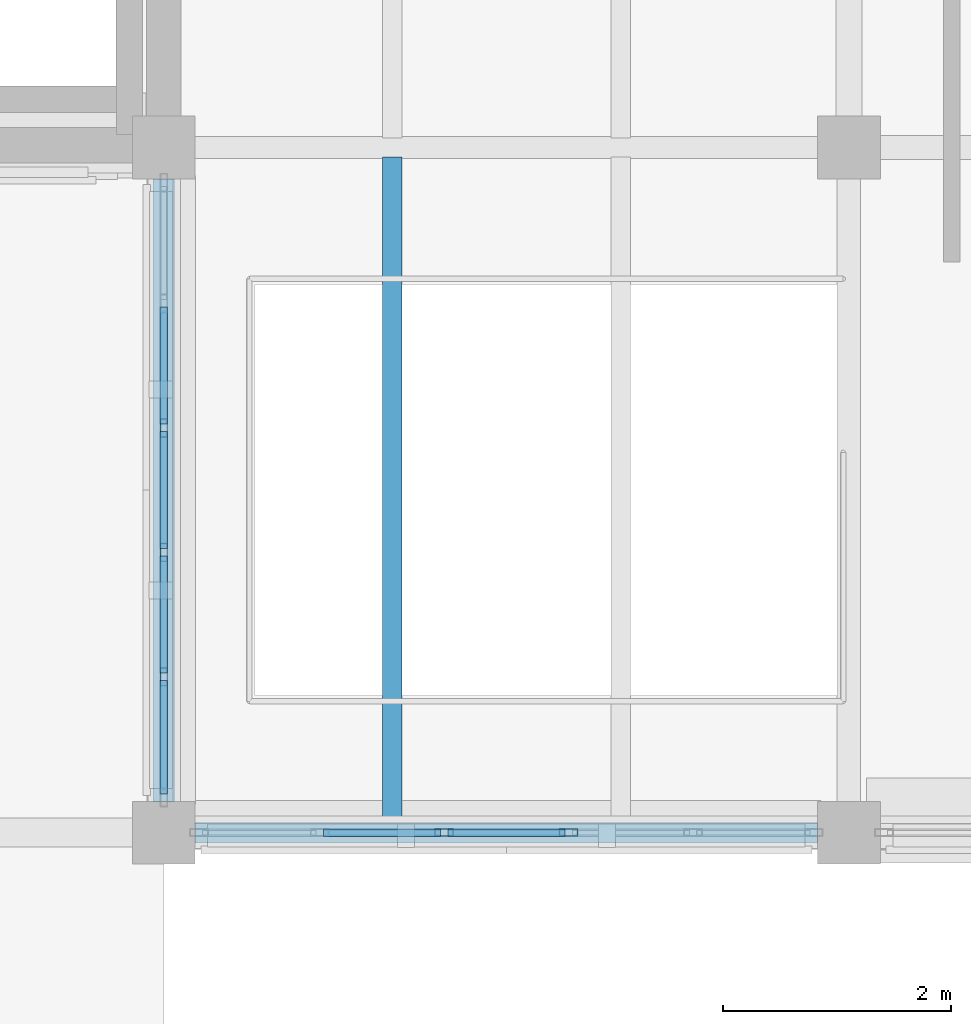
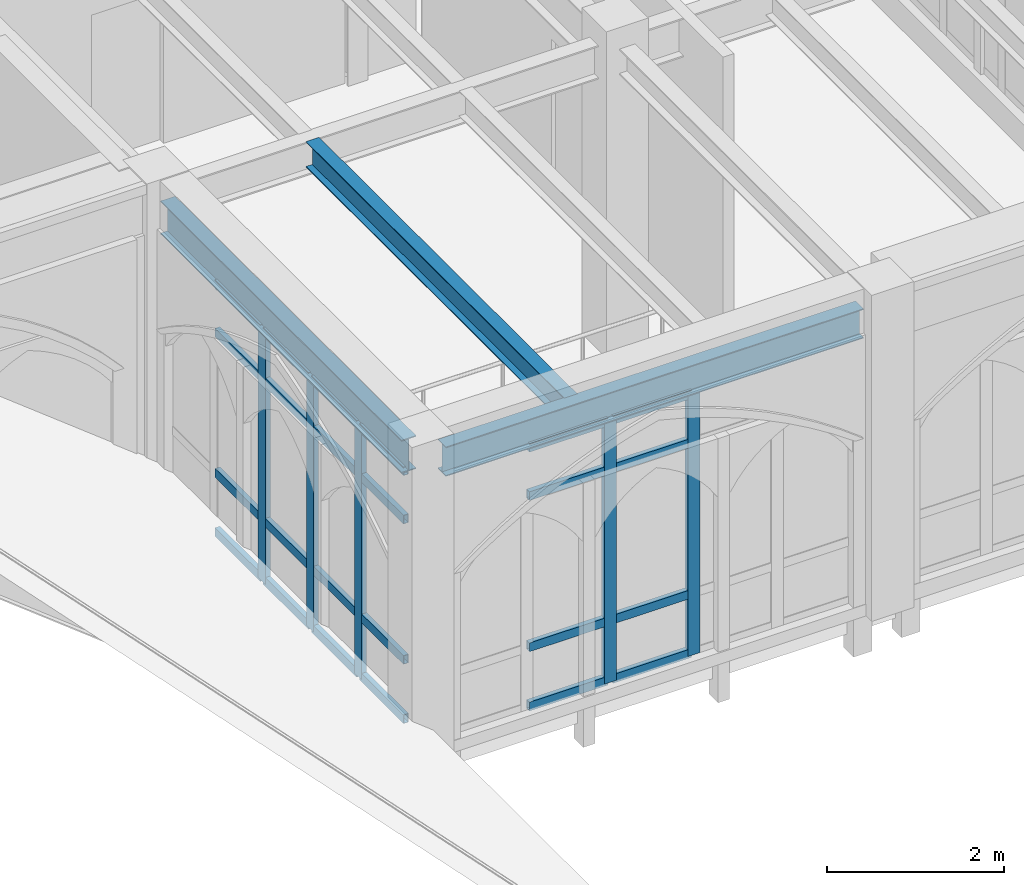
# One storey, part 12 of 108: 29 members, 3 beams, 2 elements without a shape of their own.
"""IFC4 building model written with IfcOpenShell, lengths in metres."""

from ifc_helpers import new_model, si_unit, direction, frame, origin, origin_2d, place, context, subcontext, project, spatial, hollow_rectangle, i_section, extrude, material, layer, layer_set, material_profile, profile_set, type_object, element, aggregate, save


model = new_model("IFC4")

# Units and contexts
model_context = context("Model", 3, precision=1e-05, world=origin(), true_north=direction((0.0, 1.0)))
body_context = subcontext(model_context, "Body", "Model", "MODEL_VIEW")
ifc_project = project(units=[si_unit("LENGTHUNIT", "METRE"), si_unit("AREAUNIT", "SQUARE_METRE"), si_unit("VOLUMEUNIT", "CUBIC_METRE"), si_unit("PLANEANGLEUNIT", "RADIAN"), si_unit("MASSUNIT", "GRAM", prefix="KILO")], contexts=[model_context])

# Site, building, storey
site_placement = place(None, origin())
site = spatial("IfcSite", under=ifc_project, at=site_placement, CompositionType="ELEMENT")
building_placement = place(site_placement, origin())
building = spatial("IfcBuilding", under=site, at=building_placement, Name="Cumevento Cable Car Station", CompositionType="ELEMENT")
storey_placement = place(building_placement, frame((0.0, 0.0, 13.5)))
storey = spatial("IfcBuildingStorey", under=building, at=storey_placement, Name="L04", CompositionType="ELEMENT", Elevation=13.5)

# Curtain wall, members
ifc_material_1 = material(Name="Anodised Bronze Aluminium AW-6063-T6", Category="aluminium")
ifc_layer_1 = layer(ifc_material_1, 0.159912109375)
ifc_layer_set_1 = layer_set([ifc_layer_1], Name="Anodised Bronze Aluminium AW-6063-T6")
curtain_wall_type_1 = type_object("IfcCurtainWallType", Name="Lancet Curtain Wall CW-01 1050", PredefinedType="NOTDEFINED", material=ifc_layer_set_1)
curtain_wall_1_placement = place(storey_placement, origin())
curtain_wall_1 = element("IfcCurtainWall", 1, at=curtain_wall_1_placement, inside=storey, type_object=curtain_wall_type_1, Name="Lancet Curtain Wall CW-01 L04 #144", PredefinedType="NOTDEFINED")
ifc_material_2 = material(Name="Anodised Bronze Aluminium AW-6063-T6", Category="aluminium")
ifc_material_profile_1 = material_profile(ifc_material_2, hollow_rectangle(XDim=0.06494140625, YDim=0.159912109375, WallThickness=0.00390625, at=origin_2d()), Name="ALUM65x160x4")
ifc_profile_set_1 = profile_set([ifc_material_profile_1], Name="Anodised Bronze Aluminium AW-6063-T6")
member_type_1 = type_object("IfcMemberType", Name="Curtain Mullion CWM-01 ALUM65x160x4", PredefinedType="MULLION", material=ifc_profile_set_1)
member_1_placement = place(storey_placement, frame((73.544921875, 33.0, 0.159912109375), z_axis=(0.0, 0.0, 1.0), x_axis=(0.0, -1.0, 0.0)))
member_1 = element("IfcMember", 2, at=member_1_placement, type_object=member_type_1, Name="CW-01 mullion 3", PredefinedType="MULLION", context=body_context, shape_type="SweptSolid", body=[
    extrude(hollow_rectangle(XDim=0.06494140625, YDim=0.159912109375, WallThickness=0.00390625, at=origin_2d()), origin(), (0.0, 0.0, 1.0), 3.63720703125),
])
member_2_placement = place(storey_placement, frame((72.455078125, 33.0, 0.159912109375), z_axis=(0.0, 0.0, 1.0), x_axis=(0.0, -1.0, 0.0)))
member_2 = element("IfcMember", 3, at=member_2_placement, type_object=member_type_1, Name="CW-01 mullion 4", PredefinedType="MULLION", context=body_context, shape_type="SweptSolid", body=[
    extrude(hollow_rectangle(XDim=0.06494140625, YDim=0.159912109375, WallThickness=0.00390625, at=origin_2d()), origin(), (0.0, 0.0, 1.0), 3.63720703125),
])

ifc_material_3 = material(Name="Anodised Bronze Aluminium AW-6063-T6", Category="aluminium")
ifc_layer_2 = layer(ifc_material_3, 0.172119140625)
ifc_layer_set_2 = layer_set([ifc_layer_2], Name="Anodised Bronze Aluminium AW-6063-T6")
curtain_wall_type_2 = type_object("IfcCurtainWallType", Name="Lancet Curtain Wall CW-03 1130", PredefinedType="NOTDEFINED", material=ifc_layer_set_2)
curtain_wall_2_placement = place(storey_placement, origin())
curtain_wall_2 = element("IfcCurtainWall", 4, at=curtain_wall_2_placement, inside=storey, type_object=curtain_wall_type_2, Name="Lancet Curtain Wall CW-03 L04 #146", PredefinedType="NOTDEFINED")
member_3_placement = place(storey_placement, frame((70.0, 34.364990234375, 0.260009765625), z_axis=(0.0, 0.0, 1.0), x_axis=(-1.0, 0.0, 0.0)))
member_3 = element("IfcMember", 5, at=member_3_placement, type_object=member_type_1, Name="CW-03 mullion 2", PredefinedType="MULLION", context=body_context, shape_type="SweptSolid", body=[
    extrude(hollow_rectangle(XDim=0.06494140625, YDim=0.159912109375, WallThickness=0.00390625, at=origin_2d()), origin(), (0.0, 0.0, 1.0), 3.487060546875),
])
member_4_placement = place(storey_placement, frame((70.0, 35.455078125, 0.260009765625), z_axis=(0.0, 0.0, 1.0), x_axis=(-1.0, 0.0, 0.0)))
member_4 = element("IfcMember", 6, at=member_4_placement, type_object=member_type_1, Name="CW-03 mullion 3", PredefinedType="MULLION", context=body_context, shape_type="SweptSolid", body=[
    extrude(hollow_rectangle(XDim=0.06494140625, YDim=0.159912109375, WallThickness=0.00390625, at=origin_2d()), origin(), (0.0, 0.0, 1.0), 3.487060546875),
])
member_5_placement = place(storey_placement, frame((70.0, 36.544921875, 0.260009765625), z_axis=(0.0, 0.0, 1.0), x_axis=(-1.0, 0.0, 0.0)))
member_5 = element("IfcMember", 7, at=member_5_placement, type_object=member_type_1, Name="CW-03 mullion 4", PredefinedType="MULLION", context=body_context, shape_type="SweptSolid", body=[
    extrude(hollow_rectangle(XDim=0.06494140625, YDim=0.159912109375, WallThickness=0.00390625, at=origin_2d()), origin(), (0.0, 0.0, 1.0), 3.487060546875),
])

# Member
ifc_material_4 = material(Name="Anodised Bronze Aluminium AW-6063-T6", Category="aluminium")
ifc_material_profile_2 = material_profile(ifc_material_4, hollow_rectangle(XDim=0.06494140625, YDim=0.1201171875, WallThickness=0.00390625, at=origin_2d()), Name="ALUT65x120x4")
ifc_profile_set_2 = profile_set([ifc_material_profile_2], Name="Anodised Bronze Aluminium AW-6063-T6")
member_type_2 = type_object("IfcMemberType", Name="Curtain Transom CWT-01 ALUT65x120x4", PredefinedType="USERDEFINED", material=ifc_profile_set_2)
member_6_placement = place(storey_placement, frame((73.512451171875, 33.0, 0.1923828125), z_axis=(-1.0, 0.0, 0.0), x_axis=(0.0, -1.0, 0.0)))
member_6 = element("IfcMember", 8, at=member_6_placement, type_object=member_type_2, Name="CW-01 transom 3.1", ObjectType="TRANSOM", PredefinedType="USERDEFINED", context=body_context, shape_type="SweptSolid", body=[
    extrude(hollow_rectangle(XDim=0.06494140625, YDim=0.1201171875, WallThickness=0.00390625, at=origin_2d()), origin(), (0.0, 0.0, 1.0), 1.02490234375),
])

member_7_placement = place(storey_placement, frame((73.512451171875, 33.0, 1.010009765625), z_axis=(-1.0, 0.0, 0.0), x_axis=(0.0, -1.0, 0.0)))
member_7 = element("IfcMember", 9, at=member_7_placement, type_object=member_type_2, Name="CW-01 transom 3.2", ObjectType="TRANSOM", PredefinedType="USERDEFINED", context=body_context, shape_type="SweptSolid", body=[
    extrude(hollow_rectangle(XDim=0.06494140625, YDim=0.1201171875, WallThickness=0.00390625, at=origin_2d()), origin(), (0.0, 0.0, 1.0), 1.02490234375),
])

member_8_placement = place(storey_placement, frame((73.512451171875, 33.0, 3.096923828125), z_axis=(-1.0, 0.0, 0.0), x_axis=(0.0, -1.0, 0.0)))
member_8 = element("IfcMember", 10, at=member_8_placement, type_object=member_type_2, Name="CW-01 transom 3.3", ObjectType="TRANSOM", PredefinedType="USERDEFINED", context=body_context, shape_type="SweptSolid", body=[
    extrude(hollow_rectangle(XDim=0.06494140625, YDim=0.1201171875, WallThickness=0.00390625, at=origin_2d()), origin(), (0.0, 0.0, 1.0), 1.02490234375),
])

member_9_placement = place(storey_placement, frame((73.512451171875, 33.0, 3.764404296875), z_axis=(-1.0, 0.0, 0.0), x_axis=(0.0, -1.0, 0.0)))
member_9 = element("IfcMember", 11, at=member_9_placement, type_object=member_type_2, Name="CW-01 transom 3.4", ObjectType="TRANSOM", PredefinedType="USERDEFINED", context=body_context, shape_type="SweptSolid", body=[
    extrude(hollow_rectangle(XDim=0.06494140625, YDim=0.1201171875, WallThickness=0.00390625, at=origin_2d()), origin(), (0.0, 0.0, 1.0), 1.02490234375),
])

member_10_placement = place(storey_placement, frame((72.422607421875, 33.0, 0.1923828125), z_axis=(-1.0, 0.0, 0.0), x_axis=(0.0, -1.0, 0.0)))
member_10 = element("IfcMember", 12, at=member_10_placement, type_object=member_type_2, Name="CW-01 transom 4.1", ObjectType="TRANSOM", PredefinedType="USERDEFINED", context=body_context, shape_type="SweptSolid", body=[
    extrude(hollow_rectangle(XDim=0.06494140625, YDim=0.1201171875, WallThickness=0.00390625, at=origin_2d()), origin(), (0.0, 0.0, 1.0), 1.025146484375),
])

member_11_placement = place(storey_placement, frame((72.422607421875, 33.0, 1.010009765625), z_axis=(-1.0, 0.0, 0.0), x_axis=(0.0, -1.0, 0.0)))
member_11 = element("IfcMember", 13, at=member_11_placement, type_object=member_type_2, Name="CW-01 transom 4.2", ObjectType="TRANSOM", PredefinedType="USERDEFINED", context=body_context, shape_type="SweptSolid", body=[
    extrude(hollow_rectangle(XDim=0.06494140625, YDim=0.1201171875, WallThickness=0.00390625, at=origin_2d()), origin(), (0.0, 0.0, 1.0), 1.025146484375),
])

member_12_placement = place(storey_placement, frame((72.422607421875, 33.0, 3.096923828125), z_axis=(-1.0, 0.0, 0.0), x_axis=(0.0, -1.0, 0.0)))
member_12 = element("IfcMember", 14, at=member_12_placement, type_object=member_type_2, Name="CW-01 transom 4.3", ObjectType="TRANSOM", PredefinedType="USERDEFINED", context=body_context, shape_type="SweptSolid", body=[
    extrude(hollow_rectangle(XDim=0.06494140625, YDim=0.1201171875, WallThickness=0.00390625, at=origin_2d()), origin(), (0.0, 0.0, 1.0), 1.025146484375),
])

member_13_placement = place(storey_placement, frame((72.422607421875, 33.0, 3.764404296875), z_axis=(-1.0, 0.0, 0.0), x_axis=(0.0, -1.0, 0.0)))
member_13 = element("IfcMember", 15, at=member_13_placement, type_object=member_type_2, Name="CW-01 transom 4.4", ObjectType="TRANSOM", PredefinedType="USERDEFINED", context=body_context, shape_type="SweptSolid", body=[
    extrude(hollow_rectangle(XDim=0.06494140625, YDim=0.1201171875, WallThickness=0.00390625, at=origin_2d()), origin(), (0.0, 0.0, 1.0), 1.025146484375),
])

aggregate(curtain_wall_1, [member_1, member_2, member_6, member_7, member_8, member_9, member_10, member_11, member_12, member_13])

member_14_placement = place(storey_placement, frame((70.0, 33.340087890625, 0.29248046875), z_axis=(0.0, 1.0, 0.0), x_axis=(-1.0, 0.0, 0.0)))
member_14 = element("IfcMember", 16, at=member_14_placement, type_object=member_type_2, Name="CW-03 transom 1.1", ObjectType="TRANSOM", PredefinedType="USERDEFINED", context=body_context, shape_type="SweptSolid", body=[
    extrude(hollow_rectangle(XDim=0.06494140625, YDim=0.1201171875, WallThickness=0.00390625, at=origin_2d()), origin(), (0.0, 0.0, 1.0), 0.992431640625),
])

member_15_placement = place(storey_placement, frame((70.0, 33.340087890625, 1.110107421875), z_axis=(0.0, 1.0, 0.0), x_axis=(-1.0, 0.0, 0.0)))
member_15 = element("IfcMember", 17, at=member_15_placement, type_object=member_type_2, Name="CW-03 transom 1.2", ObjectType="TRANSOM", PredefinedType="USERDEFINED", context=body_context, shape_type="SweptSolid", body=[
    extrude(hollow_rectangle(XDim=0.06494140625, YDim=0.1201171875, WallThickness=0.00390625, at=origin_2d()), origin(), (0.0, 0.0, 1.0), 0.992431640625),
])

member_16_placement = place(storey_placement, frame((70.0, 33.340087890625, 3.047119140625), z_axis=(0.0, 1.0, 0.0), x_axis=(-1.0, 0.0, 0.0)))
member_16 = element("IfcMember", 18, at=member_16_placement, type_object=member_type_2, Name="CW-03 transom 1.3", ObjectType="TRANSOM", PredefinedType="USERDEFINED", context=body_context, shape_type="SweptSolid", body=[
    extrude(hollow_rectangle(XDim=0.06494140625, YDim=0.1201171875, WallThickness=0.00390625, at=origin_2d()), origin(), (0.0, 0.0, 1.0), 0.992431640625),
])

member_17_placement = place(storey_placement, frame((70.0, 33.340087890625, 3.714599609375), z_axis=(0.0, 1.0, 0.0), x_axis=(-1.0, 0.0, 0.0)))
member_17 = element("IfcMember", 19, at=member_17_placement, type_object=member_type_2, Name="CW-03 transom 1.4", ObjectType="TRANSOM", PredefinedType="USERDEFINED", context=body_context, shape_type="SweptSolid", body=[
    extrude(hollow_rectangle(XDim=0.06494140625, YDim=0.1201171875, WallThickness=0.00390625, at=origin_2d()), origin(), (0.0, 0.0, 1.0), 0.992431640625),
])

member_18_placement = place(storey_placement, frame((70.0, 34.3974609375, 0.29248046875), z_axis=(0.0, 1.0, 0.0), x_axis=(-1.0, 0.0, 0.0)))
member_18 = element("IfcMember", 20, at=member_18_placement, type_object=member_type_2, Name="CW-03 transom 2.1", ObjectType="TRANSOM", PredefinedType="USERDEFINED", context=body_context, shape_type="SweptSolid", body=[
    extrude(hollow_rectangle(XDim=0.06494140625, YDim=0.1201171875, WallThickness=0.00390625, at=origin_2d()), origin(), (0.0, 0.0, 1.0), 1.025146484375),
])

member_19_placement = place(storey_placement, frame((70.0, 34.3974609375, 1.110107421875), z_axis=(0.0, 1.0, 0.0), x_axis=(-1.0, 0.0, 0.0)))
member_19 = element("IfcMember", 21, at=member_19_placement, type_object=member_type_2, Name="CW-03 transom 2.2", ObjectType="TRANSOM", PredefinedType="USERDEFINED", context=body_context, shape_type="SweptSolid", body=[
    extrude(hollow_rectangle(XDim=0.06494140625, YDim=0.1201171875, WallThickness=0.00390625, at=origin_2d()), origin(), (0.0, 0.0, 1.0), 1.025146484375),
])

member_20_placement = place(storey_placement, frame((70.0, 34.3974609375, 3.047119140625), z_axis=(0.0, 1.0, 0.0), x_axis=(-1.0, 0.0, 0.0)))
member_20 = element("IfcMember", 22, at=member_20_placement, type_object=member_type_2, Name="CW-03 transom 2.3", ObjectType="TRANSOM", PredefinedType="USERDEFINED", context=body_context, shape_type="SweptSolid", body=[
    extrude(hollow_rectangle(XDim=0.06494140625, YDim=0.1201171875, WallThickness=0.00390625, at=origin_2d()), origin(), (0.0, 0.0, 1.0), 1.025146484375),
])

member_21_placement = place(storey_placement, frame((70.0, 34.3974609375, 3.714599609375), z_axis=(0.0, 1.0, 0.0), x_axis=(-1.0, 0.0, 0.0)))
member_21 = element("IfcMember", 23, at=member_21_placement, type_object=member_type_2, Name="CW-03 transom 2.4", ObjectType="TRANSOM", PredefinedType="USERDEFINED", context=body_context, shape_type="SweptSolid", body=[
    extrude(hollow_rectangle(XDim=0.06494140625, YDim=0.1201171875, WallThickness=0.00390625, at=origin_2d()), origin(), (0.0, 0.0, 1.0), 1.025146484375),
])

member_22_placement = place(storey_placement, frame((70.0, 35.487548828125, 0.29248046875), z_axis=(0.0, 1.0, 0.0), x_axis=(-1.0, 0.0, 0.0)))
member_22 = element("IfcMember", 24, at=member_22_placement, type_object=member_type_2, Name="CW-03 transom 3.1", ObjectType="TRANSOM", PredefinedType="USERDEFINED", context=body_context, shape_type="SweptSolid", body=[
    extrude(hollow_rectangle(XDim=0.06494140625, YDim=0.1201171875, WallThickness=0.00390625, at=origin_2d()), origin(), (0.0, 0.0, 1.0), 1.02490234375),
])

member_23_placement = place(storey_placement, frame((70.0, 35.487548828125, 1.110107421875), z_axis=(0.0, 1.0, 0.0), x_axis=(-1.0, 0.0, 0.0)))
member_23 = element("IfcMember", 25, at=member_23_placement, type_object=member_type_2, Name="CW-03 transom 3.2", ObjectType="TRANSOM", PredefinedType="USERDEFINED", context=body_context, shape_type="SweptSolid", body=[
    extrude(hollow_rectangle(XDim=0.06494140625, YDim=0.1201171875, WallThickness=0.00390625, at=origin_2d()), origin(), (0.0, 0.0, 1.0), 1.02490234375),
])

member_24_placement = place(storey_placement, frame((70.0, 35.487548828125, 3.047119140625), z_axis=(0.0, 1.0, 0.0), x_axis=(-1.0, 0.0, 0.0)))
member_24 = element("IfcMember", 26, at=member_24_placement, type_object=member_type_2, Name="CW-03 transom 3.3", ObjectType="TRANSOM", PredefinedType="USERDEFINED", context=body_context, shape_type="SweptSolid", body=[
    extrude(hollow_rectangle(XDim=0.06494140625, YDim=0.1201171875, WallThickness=0.00390625, at=origin_2d()), origin(), (0.0, 0.0, 1.0), 1.02490234375),
])

member_25_placement = place(storey_placement, frame((70.0, 35.487548828125, 3.714599609375), z_axis=(0.0, 1.0, 0.0), x_axis=(-1.0, 0.0, 0.0)))
member_25 = element("IfcMember", 27, at=member_25_placement, type_object=member_type_2, Name="CW-03 transom 3.4", ObjectType="TRANSOM", PredefinedType="USERDEFINED", context=body_context, shape_type="SweptSolid", body=[
    extrude(hollow_rectangle(XDim=0.06494140625, YDim=0.1201171875, WallThickness=0.00390625, at=origin_2d()), origin(), (0.0, 0.0, 1.0), 1.02490234375),
])

member_26_placement = place(storey_placement, frame((70.0, 36.577392578125, 0.29248046875), z_axis=(0.0, 1.0, 0.0), x_axis=(-1.0, 0.0, 0.0)))
member_26 = element("IfcMember", 28, at=member_26_placement, type_object=member_type_2, Name="CW-03 transom 4.1", ObjectType="TRANSOM", PredefinedType="USERDEFINED", context=body_context, shape_type="SweptSolid", body=[
    extrude(hollow_rectangle(XDim=0.06494140625, YDim=0.1201171875, WallThickness=0.00390625, at=origin_2d()), origin(), (0.0, 0.0, 1.0), 1.025146484375),
])

member_27_placement = place(storey_placement, frame((70.0, 36.577392578125, 1.110107421875), z_axis=(0.0, 1.0, 0.0), x_axis=(-1.0, 0.0, 0.0)))
member_27 = element("IfcMember", 29, at=member_27_placement, type_object=member_type_2, Name="CW-03 transom 4.2", ObjectType="TRANSOM", PredefinedType="USERDEFINED", context=body_context, shape_type="SweptSolid", body=[
    extrude(hollow_rectangle(XDim=0.06494140625, YDim=0.1201171875, WallThickness=0.00390625, at=origin_2d()), origin(), (0.0, 0.0, 1.0), 1.025146484375),
])

member_28_placement = place(storey_placement, frame((70.0, 36.577392578125, 3.047119140625), z_axis=(0.0, 1.0, 0.0), x_axis=(-1.0, 0.0, 0.0)))
member_28 = element("IfcMember", 30, at=member_28_placement, type_object=member_type_2, Name="CW-03 transom 4.3", ObjectType="TRANSOM", PredefinedType="USERDEFINED", context=body_context, shape_type="SweptSolid", body=[
    extrude(hollow_rectangle(XDim=0.06494140625, YDim=0.1201171875, WallThickness=0.00390625, at=origin_2d()), origin(), (0.0, 0.0, 1.0), 1.025146484375),
])

member_29_placement = place(storey_placement, frame((70.0, 36.577392578125, 3.714599609375), z_axis=(0.0, 1.0, 0.0), x_axis=(-1.0, 0.0, 0.0)))
member_29 = element("IfcMember", 31, at=member_29_placement, type_object=member_type_2, Name="CW-03 transom 4.4", ObjectType="TRANSOM", PredefinedType="USERDEFINED", context=body_context, shape_type="SweptSolid", body=[
    extrude(hollow_rectangle(XDim=0.06494140625, YDim=0.1201171875, WallThickness=0.00390625, at=origin_2d()), origin(), (0.0, 0.0, 1.0), 1.025146484375),
])

aggregate(curtain_wall_2, [member_3, member_4, member_5, member_14, member_15, member_16, member_17, member_18, member_19, member_20, member_21, member_22, member_23, member_24, member_25, member_26, member_27, member_28, member_29])

# Beams
ifc_material_5 = material(Name="Steel ASTM A572 Grade 50", Category="steel")
ifc_material_profile_3 = material_profile(ifc_material_5, i_section(OverallWidth=0.18994140625, OverallDepth=0.45703125, WebThickness=0.009033203125, FlangeThickness=0.014404296875, at=origin_2d()), Name="W460x74.0")
ifc_profile_set_3 = profile_set([ifc_material_profile_3], Name="Steel ASTM A572 Grade 50")
beam_type_1 = type_object("IfcBeamType", Name="Structural Beam BM-04 W460x74.0", PredefinedType="BEAM", material=ifc_profile_set_3)
beam_1_placement = place(storey_placement, frame((70.0, 33.27490234375, 3.9755859375), z_axis=(0.0, 1.0, 0.0), x_axis=(-1.0, 0.0, 0.0)))
element("IfcBeam", 32, at=beam_1_placement, inside=storey, type_object=beam_type_1, Name="Beam BM-04 L04 #1355", PredefinedType="BEAM", context=body_context, shape_type="SweptSolid", body=[
    extrude(i_section(OverallWidth=0.18994140625, OverallDepth=0.45703125, WebThickness=0.009033203125, FlangeThickness=0.014404296875, at=origin_2d()), origin(), (0.0, 0.0, 1.0), 5.4501953125),
])
ifc_material_6 = material(Name="Steel ASTM A572 Grade 50", Category="steel")
ifc_material_profile_4 = material_profile(ifc_material_6, i_section(OverallWidth=0.1708984375, OverallDepth=0.35498046875, WebThickness=0.007080078125, FlangeThickness=0.01171875, at=origin_2d()), Name="W360x51.0")
ifc_profile_set_4 = profile_set([ifc_material_profile_4], Name="Steel ASTM A572 Grade 50")
beam_type_2 = type_object("IfcBeamType", Name="Structural Joist JS-01 W360x51.0", PredefinedType="JOIST", material=ifc_profile_set_4)
beam_2_placement = place(storey_placement, frame((72.0, 33.076904296875, 4.026611328125), z_axis=(0.0, 1.0, 0.0), x_axis=(-1.0, 0.0, 0.0)))
element("IfcBeam", 33, at=beam_2_placement, inside=storey, type_object=beam_type_2, Name="Composite Floor Joist JS-01 L04 #1496", PredefinedType="JOIST", context=body_context, shape_type="SweptSolid", body=[
    extrude(i_section(OverallWidth=0.1708984375, OverallDepth=0.35498046875, WebThickness=0.007080078125, FlangeThickness=0.01171875, at=origin_2d()), origin(), (0.0, 0.0, 1.0), 5.839111328125),
])
ifc_material_7 = material(Name="Steel ASTM A572 Grade 50", Category="steel")
ifc_material_profile_5 = material_profile(ifc_material_7, i_section(OverallWidth=0.177978515625, OverallDepth=0.406982421875, WebThickness=0.0078125, FlangeThickness=0.0126953125, at=origin_2d()), Name="W410x60.0")
ifc_profile_set_5 = profile_set([ifc_material_profile_5], Name="Steel ASTM A572 Grade 50")
beam_type_3 = type_object("IfcBeamType", Name="Structural Spandrel SP-01 W410x60.0", PredefinedType="SPANDREL", material=ifc_profile_set_5)
beam_3_placement = place(storey_placement, frame((70.27490234375, 33.0, 4.00048828125), z_axis=(1.0, 0.0, 0.0), x_axis=(0.0, 1.0, 0.0)))
element("IfcBeam", 34, at=beam_3_placement, inside=storey, type_object=beam_type_3, Name="Beam SP-01 L04 #1349", PredefinedType="SPANDREL", context=body_context, shape_type="SweptSolid", body=[
    extrude(i_section(OverallWidth=0.177978515625, OverallDepth=0.406982421875, WebThickness=0.0078125, FlangeThickness=0.0126953125, at=origin_2d()), origin(), (0.0, 0.0, 1.0), 5.4501953125),
])

save(model, "model.ifc")
